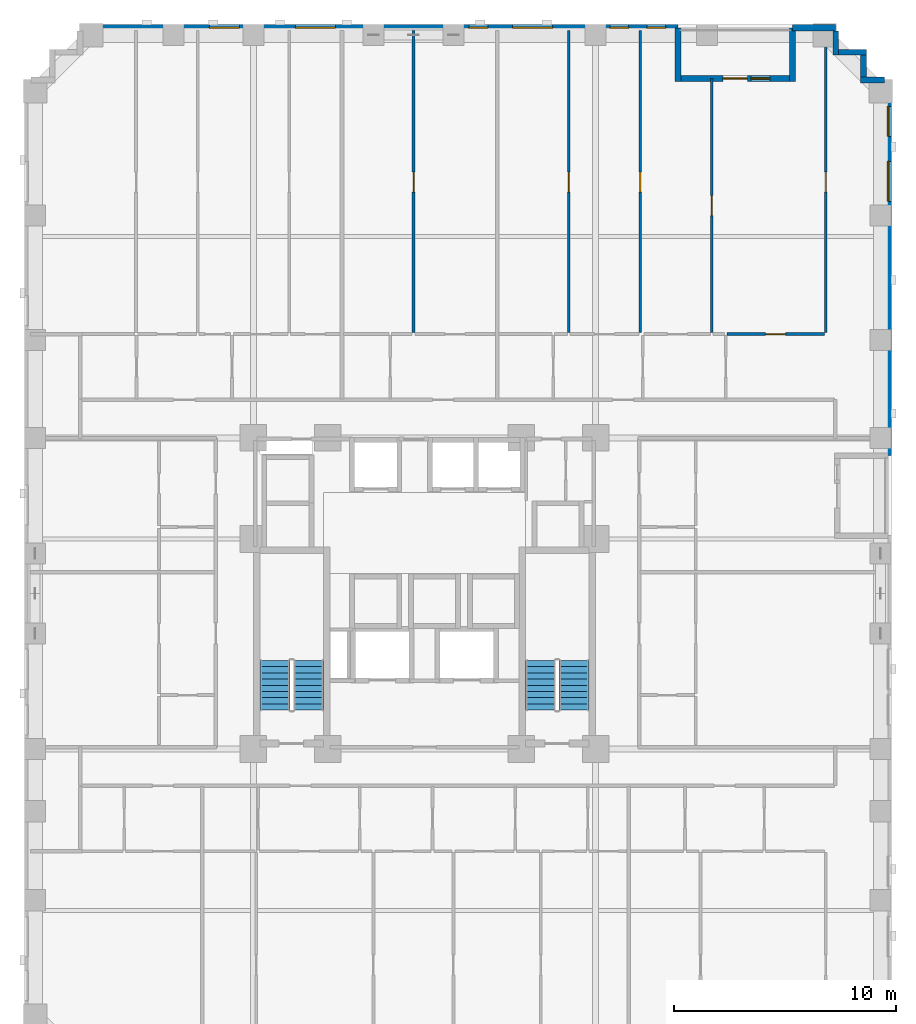
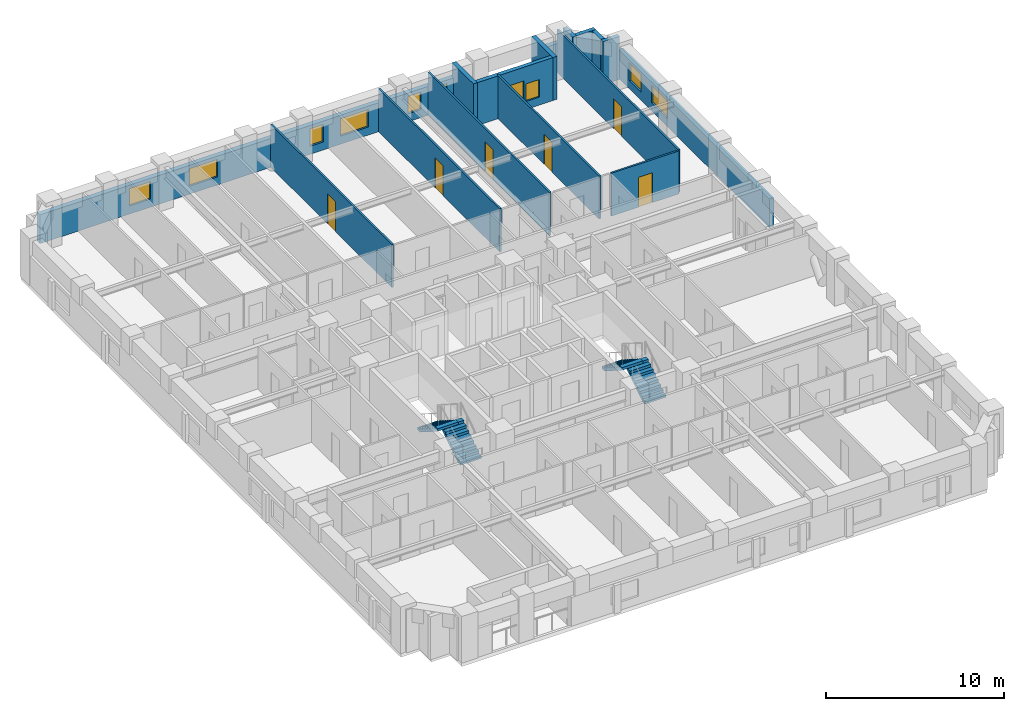
# One storey, part 8 of 13: 16 walls, 9 windows, 7 doors, 4 stair flights, 16 openings, 2 elements without a shape of their own.
"""IFC4 building model written with IfcOpenShell, lengths in metres."""

from ifc_helpers import new_model, si_unit, derived_unit, direction, frame, frame_2d, origin, place, context, subcontext, project, spatial, polyline, rectangle, outline, extrude, material, layer, layer_set, type_object, element, fill, aggregate, save


model = new_model("IFC4")

# Units and contexts
model_context = context("Model", 3, precision=1e-05, world=origin(), true_north=direction((0.0, 1.0)))
body_context = subcontext(model_context, "Body", "Model", "MODEL_VIEW")
ifc_project = project(units=[si_unit("LENGTHUNIT", "METRE"), si_unit("AREAUNIT", "SQUARE_METRE"), si_unit("VOLUMEUNIT", "CUBIC_METRE"), si_unit("PLANEANGLEUNIT", "RADIAN"), si_unit("MASSUNIT", "GRAM", prefix="KILO"), derived_unit("THERMALTRANSMITTANCEUNIT", [(si_unit("MASSUNIT", "GRAM", prefix="KILO"), 1), (si_unit("TIMEUNIT", "SECOND"), -3), (si_unit("THERMODYNAMICTEMPERATUREUNIT", "KELVIN"), -1)])], contexts=[model_context])

# Site, building, storey
site_placement = place(None, origin())
site = spatial("IfcSite", under=ifc_project, at=site_placement, CompositionType="ELEMENT")
building_placement = place(site_placement, origin())
building = spatial("IfcBuilding", under=site, at=building_placement, Name="Korrvale Station Residences", CompositionType="ELEMENT")
storey_placement = place(building_placement, frame((0.0, 0.0, 32.199951171875)))
storey = spatial("IfcBuildingStorey", under=building, at=storey_placement, Name="L07", CompositionType="ELEMENT", Elevation=32.199951171875)

# Wall
ifc_material_1 = material(Name="Precast concrete C45/55", Category="concrete")
ifc_layer_1 = layer(ifc_material_1, 0.260009765625, Name="Precast concrete C45/55")
ifc_layer_set_1 = layer_set([ifc_layer_1], Name="Precast concrete C45/55")
wall_type_1 = type_object("IfcWallType", Name="WAL-EXT-LOG260", PredefinedType="SOLIDWALL", material=ifc_layer_set_1)
wall_1_placement = place(storey_placement, frame((36.89990234375, 47.43994140625, 0.0), z_axis=(0.0, 0.0, 1.0), x_axis=(0.0, -1.0, 0.0)))
element("IfcWall", 1, at=wall_1_placement, inside=storey, type_object=wall_type_1, Name="L07 Recessed Loggia Wall BAL-L07-N1-L", PredefinedType="SOLIDWALL", context=body_context, shape_type="SweptSolid", body=[
    extrude(rectangle(XDim=2.39990234375, YDim=0.260009765625, at=frame_2d((1.199951171875, 0.0))), origin(), (0.0, 0.0, 1.0), 2.93994140625),
])

# Wall, openings, door, window
wall_2_placement = place(storey_placement, frame((37.033935546875, 45.169921875, 0.0), z_axis=(0.0, 0.0, 1.0), x_axis=(1.0, 0.0, 0.0)))
wall_2 = element("IfcWall", 2, at=wall_2_placement, inside=storey, type_object=wall_type_1, Name="L07 Recessed Loggia Wall BAL-L07-N1-B", PredefinedType="SOLIDWALL", context=body_context, shape_type="SweptSolid", body=[
    extrude(rectangle(XDim=4.882080078125, YDim=0.260009765625, at=frame_2d((2.44091796875, 0.0))), origin(), (0.0, 0.0, 1.0), 2.93994140625),
])
opening_1_placement = place(wall_2_placement, frame((1.89111328125, 0.0, 0.0)))
opening_1 = element("IfcOpeningElement", 3, at=opening_1_placement, cuts=wall_2, Name="Opening BD-01", PredefinedType="OPENING", context=body_context, shape_type="SweptSolid", body=[
    extrude(rectangle(XDim=1.10009765625, YDim=2.0, at=frame_2d((0.550048828125, 1.0))), frame((0.0, 0.14013671875, 0.0), z_axis=(0.0, -1.0, 0.0), x_axis=(1.0, 0.0, 0.0)), (0.0, 0.0, 1.0), 0.280029296875),
])
opening_2_placement = place(wall_2_placement, frame((3.15087890625, 0.0, 0.550048828125)))
opening_2 = element("IfcOpeningElement", 4, at=opening_2_placement, cuts=wall_2, Name="Opening W-11", PredefinedType="OPENING", context=body_context, shape_type="SweptSolid", body=[
    extrude(rectangle(XDim=0.85009765625, YDim=1.199951171875, at=frame_2d((0.425048828125, 0.60009765625))), frame((0.0, 0.14013671875, 0.0), z_axis=(0.0, -1.0, 0.0), x_axis=(1.0, 0.0, 0.0)), (0.0, 0.0, 1.0), 0.280029296875),
])
ifc_material_2 = material(Name="Exterior thermally broken aluminium glazed balcony door", Category="aluminium")
door_type_1 = type_object("IfcDoorType", Name="DR-EXT-BAL", OperationType="NOTDEFINED", PredefinedType="DOOR", material=ifc_material_2)
door_1_placement = place(opening_1_placement, origin())
door_1 = element("IfcDoor", 5, at=door_1_placement, inside=storey, type_object=door_type_1, Name="L07 Loggia Balcony Door BAL-L07-N1", OperationType="SINGLE_SWING_RIGHT", OverallHeight=2.0, OverallWidth=1.10009765625, PredefinedType="DOOR", context=body_context, shape_type="SweptSolid", body=[
    extrude(rectangle(XDim=1.10009765625, YDim=2.0, at=frame_2d((0.550048828125, 1.0))), frame((0.0, 0.02490234375, 0.0), z_axis=(0.0, -1.0, 0.0), x_axis=(1.0, 0.0, 0.0)), (0.0, 0.0, 1.0), 0.050048828125),
])
fill(opening_1, door_1)
ifc_material_3 = material(Name="Thermally broken aluminium frame with triple low-e glazing", Category="aluminium")
window_type_1 = type_object("IfcWindowType", Name="WIN-W11", PartitioningType="SINGLE_PANEL", PredefinedType="WINDOW", material=ifc_material_3)
window_1_placement = place(opening_2_placement, origin())
window_1 = element("IfcWindow", 6, at=window_1_placement, inside=storey, type_object=window_type_1, Name="L07 Punched Window 18", OverallHeight=1.199951171875, OverallWidth=0.85009765625, PartitioningType="SINGLE_PANEL", PredefinedType="WINDOW", context=body_context, shape_type="SweptSolid", body=[
    extrude(rectangle(XDim=0.85009765625, YDim=1.199951171875, at=frame_2d((0.425048828125, 0.60009765625))), frame((0.0, 0.030029296875, 0.0), z_axis=(0.0, -1.0, 0.0), x_axis=(1.0, 0.0, 0.0)), (0.0, 0.0, 1.0), 0.06005859375),
])
fill(opening_2, window_1)

# Walls
wall_3_placement = place(storey_placement, frame((42.050048828125, 45.0400390625, 0.0), z_axis=(0.0, 0.0, 1.0), x_axis=(0.0, 1.0, 0.0)))
element("IfcWall", 7, at=wall_3_placement, inside=storey, type_object=wall_type_1, Name="L07 Recessed Loggia Wall BAL-L07-N1-R", PredefinedType="SOLIDWALL", context=body_context, shape_type="SweptSolid", body=[
    extrude(rectangle(XDim=2.39990234375, YDim=0.260009765625, at=frame_2d((1.199951171875, 0.0))), origin(), (0.0, 0.0, 1.0), 2.93994140625),
])
wall_4_placement = place(storey_placement, frame((44.0, 47.298095703125, 0.0), z_axis=(0.0, 0.0, 1.0), x_axis=(0.0, -1.0, 0.0)))
element("IfcWall", 8, at=wall_4_placement, inside=storey, type_object=wall_type_1, Name="L07 Serrated Corner Precast Step NE-1", PredefinedType="SOLIDWALL", context=body_context, shape_type="SweptSolid", body=[
    extrude(rectangle(XDim=1.078125, YDim=0.260009765625, at=frame_2d((0.5390625, 0.0))), origin(), (0.0, 0.0, 1.0), 2.93994140625),
])
wall_5_placement = place(storey_placement, frame((44.132080078125, 46.35009765625, 0.0), z_axis=(0.0, 0.0, 1.0), x_axis=(1.0, 0.0, 0.0)))
element("IfcWall", 9, at=wall_5_placement, inside=storey, type_object=wall_type_1, Name="L07 Serrated Corner Precast Step NE-2", PredefinedType="SOLIDWALL", context=body_context, shape_type="SweptSolid", body=[
    extrude(rectangle(XDim=1.247802734375, YDim=0.260009765625, at=frame_2d((0.6240234375, 0.0))), origin(), (0.0, 0.0, 1.0), 2.93994140625),
])
wall_6_placement = place(storey_placement, frame((45.25, 46.218017578125, 0.0), z_axis=(0.0, 0.0, 1.0), x_axis=(0.0, -1.0, 0.0)))
element("IfcWall", 10, at=wall_6_placement, inside=storey, type_object=wall_type_1, Name="L07 Serrated Corner Precast Step NE-3", PredefinedType="SOLIDWALL", context=body_context, shape_type="SweptSolid", body=[
    extrude(rectangle(XDim=0.986083984375, YDim=0.260009765625, at=frame_2d((0.4931640625, 0.0))), origin(), (0.0, 0.0, 1.0), 2.93994140625),
])
wall_7_placement = place(storey_placement, frame((45.1201171875, 45.10009765625, 0.0), z_axis=(0.0, 0.0, 1.0), x_axis=(1.0, 0.0, 0.0)))
element("IfcWall", 11, at=wall_7_placement, inside=storey, type_object=wall_type_1, Name="L07 Serrated Corner Precast Step NE-4", PredefinedType="SOLIDWALL", context=body_context, shape_type="SweptSolid", body=[
    extrude(rectangle(XDim=1.077880859375, YDim=0.260009765625, at=frame_2d((0.5390625, 0.0))), origin(), (0.0, 0.0, 1.0), 2.93994140625),
])

# Wall, openings, windows
ifc_layer_2 = layer(ifc_material_1, 0.300048828125, Name="Precast concrete C45/55")
ifc_layer_set_2 = layer_set([ifc_layer_2], Name="Precast concrete C45/55")
wall_type_2 = type_object("IfcWallType", Name="WAL-EXT-PC300", PredefinedType="SOLIDWALL", material=ifc_layer_set_2)
wall_8_placement = place(storey_placement, frame((10.0, 47.449951171875, 0.0), z_axis=(0.0, 0.0, 1.0), x_axis=(1.0, 0.0, 0.0)))
wall_8 = element("IfcWall", 12, at=wall_8_placement, inside=storey, type_object=wall_type_2, Name="L07 North Exterior Precast Wall 1", PredefinedType="SOLIDWALL", context=body_context, shape_type="SweptSolid", body=[
    extrude(rectangle(XDim=26.89990234375, YDim=0.300048828125, at=frame_2d((13.449951171875, 0.0))), origin(), (0.0, 0.0, 1.0), 1.97509765625),
])
opening_3_placement = place(wall_8_placement, frame((5.81494140625, 0.0, 0.550048828125)))
opening_3 = element("IfcOpeningElement", 13, at=opening_3_placement, cuts=wall_8, Name="Opening W-10", PredefinedType="OPENING", context=body_context, shape_type="SweptSolid", body=[
    extrude(rectangle(XDim=1.35009765625, YDim=1.199951171875, at=frame_2d((0.675048828125, 0.60009765625))), frame((0.0, 0.16015625, 0.0), z_axis=(0.0, -1.0, 0.0), x_axis=(1.0, 0.0, 0.0)), (0.0, 0.0, 1.0), 0.320068359375),
])
opening_4_placement = place(wall_8_placement, frame((9.694091796875, 0.0, 0.550048828125)))
opening_4 = element("IfcOpeningElement", 14, at=opening_4_placement, cuts=wall_8, Name="Opening W-09", PredefinedType="OPENING", context=body_context, shape_type="SweptSolid", body=[
    extrude(rectangle(XDim=1.800048828125, YDim=1.199951171875, at=frame_2d((0.89990234375, 0.60009765625))), frame((0.0, 0.16015625, 0.0), z_axis=(0.0, -1.0, 0.0), x_axis=(1.0, 0.0, 0.0)), (0.0, 0.0, 1.0), 0.320068359375),
])
opening_5_placement = place(wall_8_placement, frame((17.5, 0.0, 0.550048828125)))
opening_5 = element("IfcOpeningElement", 15, at=opening_5_placement, cuts=wall_8, Name="Opening W-11", PredefinedType="OPENING", context=body_context, shape_type="SweptSolid", body=[
    extrude(rectangle(XDim=0.85009765625, YDim=1.199951171875, at=frame_2d((0.425048828125, 0.60009765625))), frame((0.0, 0.16015625, 0.0), z_axis=(0.0, -1.0, 0.0), x_axis=(1.0, 0.0, 0.0)), (0.0, 0.0, 1.0), 0.320068359375),
])
opening_6_placement = place(wall_8_placement, frame((19.462890625, 0.0, 0.550048828125)))
opening_6 = element("IfcOpeningElement", 16, at=opening_6_placement, cuts=wall_8, Name="Opening W-09", PredefinedType="OPENING", context=body_context, shape_type="SweptSolid", body=[
    extrude(rectangle(XDim=1.800048828125, YDim=1.199951171875, at=frame_2d((0.89990234375, 0.60009765625))), frame((0.0, 0.16015625, 0.0), z_axis=(0.0, -1.0, 0.0), x_axis=(1.0, 0.0, 0.0)), (0.0, 0.0, 1.0), 0.320068359375),
])
opening_7_placement = place(wall_8_placement, frame((23.8349609375, 0.0, 0.550048828125)))
opening_7 = element("IfcOpeningElement", 17, at=opening_7_placement, cuts=wall_8, Name="Opening W-11", PredefinedType="OPENING", context=body_context, shape_type="SweptSolid", body=[
    extrude(rectangle(XDim=0.85009765625, YDim=1.199951171875, at=frame_2d((0.425048828125, 0.60009765625))), frame((0.0, 0.16015625, 0.0), z_axis=(0.0, -1.0, 0.0), x_axis=(1.0, 0.0, 0.0)), (0.0, 0.0, 1.0), 0.320068359375),
])
opening_8_placement = place(wall_8_placement, frame((25.498046875, 0.0, 0.550048828125)))
opening_8 = element("IfcOpeningElement", 18, at=opening_8_placement, cuts=wall_8, Name="Opening W-11", PredefinedType="OPENING", context=body_context, shape_type="SweptSolid", body=[
    extrude(rectangle(XDim=0.85009765625, YDim=1.199951171875, at=frame_2d((0.425048828125, 0.60009765625))), frame((0.0, 0.16015625, 0.0), z_axis=(0.0, -1.0, 0.0), x_axis=(1.0, 0.0, 0.0)), (0.0, 0.0, 1.0), 0.320068359375),
])
window_type_2 = type_object("IfcWindowType", Name="WIN-W09", PartitioningType="DOUBLE_PANEL_VERTICAL", PredefinedType="WINDOW", material=ifc_material_3)
window_2_placement = place(opening_4_placement, origin())
window_2 = element("IfcWindow", 19, at=window_2_placement, inside=storey, type_object=window_type_2, Name="L07 Punched Window 13", OverallHeight=1.199951171875, OverallWidth=1.800048828125, PartitioningType="DOUBLE_PANEL_VERTICAL", PredefinedType="WINDOW", context=body_context, shape_type="SweptSolid", body=[
    extrude(rectangle(XDim=1.800048828125, YDim=1.199951171875, at=frame_2d((0.89990234375, 0.60009765625))), frame((0.0, 0.030029296875, 0.0), z_axis=(0.0, -1.0, 0.0), x_axis=(1.0, 0.0, 0.0)), (0.0, 0.0, 1.0), 0.06005859375),
])
fill(opening_4, window_2)
window_3_placement = place(opening_6_placement, origin())
window_3 = element("IfcWindow", 20, at=window_3_placement, inside=storey, type_object=window_type_2, Name="L07 Punched Window 15", OverallHeight=1.199951171875, OverallWidth=1.800048828125, PartitioningType="DOUBLE_PANEL_VERTICAL", PredefinedType="WINDOW", context=body_context, shape_type="SweptSolid", body=[
    extrude(rectangle(XDim=1.800048828125, YDim=1.199951171875, at=frame_2d((0.89990234375, 0.60009765625))), frame((0.0, 0.030029296875, 0.0), z_axis=(0.0, -1.0, 0.0), x_axis=(1.0, 0.0, 0.0)), (0.0, 0.0, 1.0), 0.06005859375),
])
fill(opening_6, window_3)
window_type_3 = type_object("IfcWindowType", Name="WIN-W10", PartitioningType="SINGLE_PANEL", PredefinedType="WINDOW", material=ifc_material_3)
window_4_placement = place(opening_3_placement, origin())
window_4 = element("IfcWindow", 21, at=window_4_placement, inside=storey, type_object=window_type_3, Name="L07 Punched Window 12", OverallHeight=1.199951171875, OverallWidth=1.35009765625, PartitioningType="SINGLE_PANEL", PredefinedType="WINDOW", context=body_context, shape_type="SweptSolid", body=[
    extrude(rectangle(XDim=1.35009765625, YDim=1.199951171875, at=frame_2d((0.675048828125, 0.60009765625))), frame((0.0, 0.030029296875, 0.0), z_axis=(0.0, -1.0, 0.0), x_axis=(1.0, 0.0, 0.0)), (0.0, 0.0, 1.0), 0.06005859375),
])
fill(opening_3, window_4)
window_5_placement = place(opening_5_placement, origin())
window_5 = element("IfcWindow", 22, at=window_5_placement, inside=storey, type_object=window_type_1, Name="L07 Punched Window 14", OverallHeight=1.199951171875, OverallWidth=0.85009765625, PartitioningType="SINGLE_PANEL", PredefinedType="WINDOW", context=body_context, shape_type="SweptSolid", body=[
    extrude(rectangle(XDim=0.85009765625, YDim=1.199951171875, at=frame_2d((0.425048828125, 0.60009765625))), frame((0.0, 0.030029296875, 0.0), z_axis=(0.0, -1.0, 0.0), x_axis=(1.0, 0.0, 0.0)), (0.0, 0.0, 1.0), 0.06005859375),
])
fill(opening_5, window_5)
window_6_placement = place(opening_7_placement, origin())
window_6 = element("IfcWindow", 23, at=window_6_placement, inside=storey, type_object=window_type_1, Name="L07 Punched Window 16", OverallHeight=1.199951171875, OverallWidth=0.85009765625, PartitioningType="SINGLE_PANEL", PredefinedType="WINDOW", context=body_context, shape_type="SweptSolid", body=[
    extrude(rectangle(XDim=0.85009765625, YDim=1.199951171875, at=frame_2d((0.425048828125, 0.60009765625))), frame((0.0, 0.030029296875, 0.0), z_axis=(0.0, -1.0, 0.0), x_axis=(1.0, 0.0, 0.0)), (0.0, 0.0, 1.0), 0.06005859375),
])
fill(opening_7, window_6)
window_7_placement = place(opening_8_placement, origin())
window_7 = element("IfcWindow", 24, at=window_7_placement, inside=storey, type_object=window_type_1, Name="L07 Punched Window 17", OverallHeight=1.199951171875, OverallWidth=0.85009765625, PartitioningType="SINGLE_PANEL", PredefinedType="WINDOW", context=body_context, shape_type="SweptSolid", body=[
    extrude(rectangle(XDim=0.85009765625, YDim=1.199951171875, at=frame_2d((0.425048828125, 0.60009765625))), frame((0.0, 0.030029296875, 0.0), z_axis=(0.0, -1.0, 0.0), x_axis=(1.0, 0.0, 0.0)), (0.0, 0.0, 1.0), 0.06005859375),
])
fill(opening_8, window_7)

# Wall
wall_9_placement = place(storey_placement, frame((42.050048828125, 47.449951171875, 0.0), z_axis=(0.0, 0.0, 1.0), x_axis=(1.0, 0.0, 0.0)))
element("IfcWall", 25, at=wall_9_placement, inside=storey, type_object=wall_type_2, Name="L07 North Exterior Precast Wall 2", PredefinedType="SOLIDWALL", context=body_context, shape_type="SweptSolid", body=[
    extrude(rectangle(XDim=1.949951171875, YDim=0.300048828125, at=frame_2d((0.97509765625, 0.0))), origin(), (0.0, 0.0, 1.0), 1.97509765625),
])

# Wall, openings, windows
wall_10_placement = place(storey_placement, frame((46.35009765625, 45.10009765625, 0.0), z_axis=(0.0, 0.0, 1.0), x_axis=(0.0, -1.0, 0.0)))
wall_10 = element("IfcWall", 26, at=wall_10_placement, inside=storey, type_object=wall_type_2, Name="L07 East Exterior Precast Wall 1", PredefinedType="SOLIDWALL", context=body_context, shape_type="SweptSolid", body=[
    extrude(rectangle(XDim=16.900146484375, YDim=0.300048828125, at=frame_2d((8.4501953125, 0.0))), origin(), (0.0, 0.0, 1.0), 1.97509765625),
])
opening_9_placement = place(wall_10_placement, frame((3.6650390625, 0.0, 0.550048828125)))
opening_9 = element("IfcOpeningElement", 27, at=opening_9_placement, cuts=wall_10, Name="Opening W-09", PredefinedType="OPENING", context=body_context, shape_type="SweptSolid", body=[
    extrude(rectangle(XDim=1.800048828125, YDim=1.199951171875, at=frame_2d((0.89990234375, 0.60009765625))), frame((0.0, 0.16015625, 0.0), z_axis=(0.0, -1.0, 0.0), x_axis=(1.0, 0.0, 0.0)), (0.0, 0.0, 1.0), 0.320068359375),
])
opening_10_placement = place(wall_10_placement, frame((1.18505859375, 0.0, 0.550048828125)))
opening_10 = element("IfcOpeningElement", 28, at=opening_10_placement, cuts=wall_10, Name="Opening W-10", PredefinedType="OPENING", context=body_context, shape_type="SweptSolid", body=[
    extrude(rectangle(XDim=1.35009765625, YDim=1.199951171875, at=frame_2d((0.675048828125, 0.60009765625))), frame((0.0, 0.16015625, 0.0), z_axis=(0.0, -1.0, 0.0), x_axis=(1.0, 0.0, 0.0)), (0.0, 0.0, 1.0), 0.320068359375),
])
window_8_placement = place(opening_9_placement, origin())
window_8 = element("IfcWindow", 29, at=window_8_placement, inside=storey, type_object=window_type_2, Name="L07 Punched Window 19", OverallHeight=1.199951171875, OverallWidth=1.800048828125, PartitioningType="DOUBLE_PANEL_VERTICAL", PredefinedType="WINDOW", context=body_context, shape_type="SweptSolid", body=[
    extrude(rectangle(XDim=1.800048828125, YDim=1.199951171875, at=frame_2d((0.89990234375, 0.60009765625))), frame((0.0, 0.030029296875, 0.0), z_axis=(0.0, -1.0, 0.0), x_axis=(1.0, 0.0, 0.0)), (0.0, 0.0, 1.0), 0.06005859375),
])
fill(opening_9, window_8)
window_9_placement = place(opening_10_placement, origin())
window_9 = element("IfcWindow", 30, at=window_9_placement, inside=storey, type_object=window_type_3, Name="L07 Punched Window 20", OverallHeight=1.199951171875, OverallWidth=1.35009765625, PartitioningType="SINGLE_PANEL", PredefinedType="WINDOW", context=body_context, shape_type="SweptSolid", body=[
    extrude(rectangle(XDim=1.35009765625, YDim=1.199951171875, at=frame_2d((0.675048828125, 0.60009765625))), frame((0.0, 0.030029296875, 0.0), z_axis=(0.0, -1.0, 0.0), x_axis=(1.0, 0.0, 0.0)), (0.0, 0.0, 1.0), 0.06005859375),
])
fill(opening_10, window_9)

# Wall, opening, door
ifc_material_4 = material(Name="Acoustic steel-stud gypsum board partition", Category="steel")
ifc_layer_3 = layer(ifc_material_4, 0.1201171875, Name="Acoustic steel-stud gypsum board partition")
ifc_layer_set_3 = layer_set([ifc_layer_3], Name="Acoustic steel-stud gypsum board partition")
wall_type_3 = type_object("IfcWallType", Name="WAL-PART-125", PredefinedType="PARTITIONING", material=ifc_layer_set_3)
wall_11_placement = place(storey_placement, frame((25.006103515625, 33.72998046875, 0.0), z_axis=(0.0, 0.0, 1.0), x_axis=(0.0, 1.0, 0.0)))
wall_11 = element("IfcWall", 31, at=wall_11_placement, inside=storey, type_object=wall_type_3, Name="L07 Suite Partition U05-V23", PredefinedType="PARTITIONING", context=body_context, shape_type="SweptSolid", body=[
    extrude(rectangle(XDim=13.590087890625, YDim=0.1201171875, at=frame_2d((6.794921875, 0.0))), origin(), (0.0, 0.0, 1.0), 2.93994140625),
])
opening_11_placement = place(wall_11_placement, frame((6.330078125, 0.0, 0.0)))
opening_11 = element("IfcOpeningElement", 32, at=opening_11_placement, cuts=wall_11, Name="Opening DI-900", PredefinedType="OPENING", context=body_context, shape_type="SweptSolid", body=[
    extrude(rectangle(XDim=0.89990234375, YDim=2.050048828125, at=frame_2d((0.449951171875, 1.02490234375))), frame((0.0, 0.070068359375, 0.0), z_axis=(0.0, -1.0, 0.0), x_axis=(1.0, 0.0, 0.0)), (0.0, 0.0, 1.0), 0.14013671875),
])
ifc_material_5 = material(Name="Painted solid-core timber interior room door", Category="wood")
door_type_2 = type_object("IfcDoorType", Name="DR-INT-900", OperationType="NOTDEFINED", PredefinedType="DOOR", material=ifc_material_5)
door_2_placement = place(opening_11_placement, origin())
door_2 = element("IfcDoor", 33, at=door_2_placement, inside=storey, type_object=door_type_2, Name="L07 Studio Apartment L07-U05 Walk-In Wardrobe Door", OperationType="SINGLE_SWING_LEFT", OverallHeight=2.050048828125, OverallWidth=0.89990234375, PredefinedType="DOOR", context=body_context, shape_type="SweptSolid", body=[
    extrude(rectangle(XDim=0.89990234375, YDim=2.050048828125, at=frame_2d((0.449951171875, 1.02490234375))), frame((0.0, 0.02490234375, 0.0), z_axis=(0.0, -1.0, 0.0), x_axis=(1.0, 0.0, 0.0)), (0.0, 0.0, 1.0), 0.050048828125),
])
fill(opening_11, door_2)

wall_12_placement = place(storey_placement, frame((39.10400390625, 33.669921875, 0.0), z_axis=(0.0, 0.0, 1.0), x_axis=(1.0, 0.0, 0.0)))
wall_12 = element("IfcWall", 34, at=wall_12_placement, inside=storey, type_object=wall_type_3, Name="L07 Suite Partition U06-H37", PredefinedType="PARTITIONING", context=body_context, shape_type="SweptSolid", body=[
    extrude(rectangle(XDim=4.385986328125, YDim=0.1201171875, at=frame_2d((2.19287109375, 0.0))), origin(), (0.0, 0.0, 1.0), 2.93994140625),
])
opening_12_placement = place(wall_12_placement, frame((1.742919921875, 0.0, 0.0)))
opening_12 = element("IfcOpeningElement", 35, at=opening_12_placement, cuts=wall_12, Name="Opening DI-900", PredefinedType="OPENING", context=body_context, shape_type="SweptSolid", body=[
    extrude(rectangle(XDim=0.89990234375, YDim=2.050048828125, at=frame_2d((0.449951171875, 1.02490234375))), frame((0.0, 0.070068359375, 0.0), z_axis=(0.0, -1.0, 0.0), x_axis=(1.0, 0.0, 0.0)), (0.0, 0.0, 1.0), 0.14013671875),
])
door_3_placement = place(opening_12_placement, origin())
door_3 = element("IfcDoor", 36, at=door_3_placement, inside=storey, type_object=door_type_2, Name="L07 Studio Apartment L07-U06 Storage Closet 2 Door", OperationType="SINGLE_SWING_LEFT", OverallHeight=2.050048828125, OverallWidth=0.89990234375, PredefinedType="DOOR", context=body_context, shape_type="SweptSolid", body=[
    extrude(rectangle(XDim=0.89990234375, YDim=2.050048828125, at=frame_2d((0.449951171875, 1.02490234375))), frame((0.0, 0.02490234375, 0.0), z_axis=(0.0, -1.0, 0.0), x_axis=(1.0, 0.0, 0.0)), (0.0, 0.0, 1.0), 0.050048828125),
])
fill(opening_12, door_3)

wall_13_placement = place(storey_placement, frame((31.98388671875, 33.72998046875, 0.0), z_axis=(0.0, 0.0, 1.0), x_axis=(0.0, 1.0, 0.0)))
wall_13 = element("IfcWall", 37, at=wall_13_placement, inside=storey, type_object=wall_type_3, Name="L07 Suite Partition U06-V45", PredefinedType="PARTITIONING", context=body_context, shape_type="SweptSolid", body=[
    extrude(rectangle(XDim=13.590087890625, YDim=0.1201171875, at=frame_2d((6.794921875, 0.0))), origin(), (0.0, 0.0, 1.0), 2.93994140625),
])
opening_13_placement = place(wall_13_placement, frame((6.330078125, 0.0, 0.0)))
opening_13 = element("IfcOpeningElement", 38, at=opening_13_placement, cuts=wall_13, Name="Opening DI-900", PredefinedType="OPENING", context=body_context, shape_type="SweptSolid", body=[
    extrude(rectangle(XDim=0.89990234375, YDim=2.050048828125, at=frame_2d((0.449951171875, 1.02490234375))), frame((0.0, 0.070068359375, 0.0), z_axis=(0.0, -1.0, 0.0), x_axis=(1.0, 0.0, 0.0)), (0.0, 0.0, 1.0), 0.14013671875),
])
door_4_placement = place(opening_13_placement, origin())
door_4 = element("IfcDoor", 39, at=door_4_placement, inside=storey, type_object=door_type_2, Name="L07 Studio Apartment L07-U06 Walk-In Wardrobe Door", OperationType="SINGLE_SWING_RIGHT", OverallHeight=2.050048828125, OverallWidth=0.89990234375, PredefinedType="DOOR", context=body_context, shape_type="SweptSolid", body=[
    extrude(rectangle(XDim=0.89990234375, YDim=2.050048828125, at=frame_2d((0.449951171875, 1.02490234375))), frame((0.0, 0.02490234375, 0.0), z_axis=(0.0, -1.0, 0.0), x_axis=(1.0, 0.0, 0.0)), (0.0, 0.0, 1.0), 0.050048828125),
])
fill(opening_13, door_4)

wall_14_placement = place(storey_placement, frame((35.2041015625, 33.72998046875, 0.0), z_axis=(0.0, 0.0, 1.0), x_axis=(0.0, 1.0, 0.0)))
wall_14 = element("IfcWall", 40, at=wall_14_placement, inside=storey, type_object=wall_type_3, Name="L07 Suite Partition U06-V56", PredefinedType="PARTITIONING", context=body_context, shape_type="SweptSolid", body=[
    extrude(rectangle(XDim=13.590087890625, YDim=0.1201171875, at=frame_2d((6.794921875, 0.0))), origin(), (0.0, 0.0, 1.0), 2.93994140625),
])
opening_14_placement = place(wall_14_placement, frame((6.330078125, 0.0, 0.0)))
opening_14 = element("IfcOpeningElement", 41, at=opening_14_placement, cuts=wall_14, Name="Opening DI-900", PredefinedType="OPENING", context=body_context, shape_type="SweptSolid", body=[
    extrude(rectangle(XDim=0.89990234375, YDim=2.050048828125, at=frame_2d((0.449951171875, 1.02490234375))), frame((0.0, 0.070068359375, 0.0), z_axis=(0.0, -1.0, 0.0), x_axis=(1.0, 0.0, 0.0)), (0.0, 0.0, 1.0), 0.14013671875),
])
door_5_placement = place(opening_14_placement, origin())
door_5 = element("IfcDoor", 42, at=door_5_placement, inside=storey, type_object=door_type_2, Name="L07 Studio Apartment L07-U06 Walk-In Wardrobe Door", OperationType="SINGLE_SWING_LEFT", OverallHeight=2.050048828125, OverallWidth=0.89990234375, PredefinedType="DOOR", context=body_context, shape_type="SweptSolid", body=[
    extrude(rectangle(XDim=0.89990234375, YDim=2.050048828125, at=frame_2d((0.449951171875, 1.02490234375))), frame((0.0, 0.02490234375, 0.0), z_axis=(0.0, -1.0, 0.0), x_axis=(1.0, 0.0, 0.0)), (0.0, 0.0, 1.0), 0.050048828125),
])
fill(opening_14, door_5)

wall_15_placement = place(storey_placement, frame((38.424072265625, 33.72998046875, 0.0), z_axis=(0.0, 0.0, 1.0), x_axis=(0.0, 1.0, 0.0)))
wall_15 = element("IfcWall", 43, at=wall_15_placement, inside=storey, type_object=wall_type_3, Name="L07 Suite Partition U06-V67", PredefinedType="PARTITIONING", context=body_context, shape_type="SweptSolid", body=[
    extrude(rectangle(XDim=11.43994140625, YDim=0.1201171875, at=frame_2d((5.719970703125, 0.0))), origin(), (0.0, 0.0, 1.0), 2.93994140625),
])
opening_15_placement = place(wall_15_placement, frame((5.27001953125, 0.0, 0.0)))
opening_15 = element("IfcOpeningElement", 44, at=opening_15_placement, cuts=wall_15, Name="Opening DI-900", PredefinedType="OPENING", context=body_context, shape_type="SweptSolid", body=[
    extrude(rectangle(XDim=0.89990234375, YDim=2.050048828125, at=frame_2d((0.449951171875, 1.02490234375))), frame((0.0, 0.070068359375, 0.0), z_axis=(0.0, -1.0, 0.0), x_axis=(1.0, 0.0, 0.0)), (0.0, 0.0, 1.0), 0.14013671875),
])
door_6_placement = place(opening_15_placement, origin())
door_6 = element("IfcDoor", 45, at=door_6_placement, inside=storey, type_object=door_type_2, Name="L07 Studio Apartment L07-U06 Walk-In Wardrobe Door", OperationType="SINGLE_SWING_RIGHT", OverallHeight=2.050048828125, OverallWidth=0.89990234375, PredefinedType="DOOR", context=body_context, shape_type="SweptSolid", body=[
    extrude(rectangle(XDim=0.89990234375, YDim=2.050048828125, at=frame_2d((0.449951171875, 1.02490234375))), frame((0.0, 0.02490234375, 0.0), z_axis=(0.0, -1.0, 0.0), x_axis=(1.0, 0.0, 0.0)), (0.0, 0.0, 1.0), 0.050048828125),
])
fill(opening_15, door_6)

wall_16_placement = place(storey_placement, frame((43.550048828125, 33.72998046875, 0.0), z_axis=(0.0, 0.0, 1.0), x_axis=(0.0, 1.0, 0.0)))
wall_16 = element("IfcWall", 46, at=wall_16_placement, inside=storey, type_object=wall_type_3, Name="L07 Suite Partition U06-V78", PredefinedType="PARTITIONING", context=body_context, shape_type="SweptSolid", body=[
    extrude(rectangle(XDim=13.590087890625, YDim=0.1201171875, at=frame_2d((6.794921875, 0.0))), origin(), (0.0, 0.0, 1.0), 2.93994140625),
])
opening_16_placement = place(wall_16_placement, frame((6.330078125, 0.0, 0.0)))
opening_16 = element("IfcOpeningElement", 47, at=opening_16_placement, cuts=wall_16, Name="Opening DI-900", PredefinedType="OPENING", context=body_context, shape_type="SweptSolid", body=[
    extrude(rectangle(XDim=0.89990234375, YDim=2.050048828125, at=frame_2d((0.449951171875, 1.02490234375))), frame((0.0, 0.070068359375, 0.0), z_axis=(0.0, -1.0, 0.0), x_axis=(1.0, 0.0, 0.0)), (0.0, 0.0, 1.0), 0.14013671875),
])
door_7_placement = place(opening_16_placement, origin())
door_7 = element("IfcDoor", 48, at=door_7_placement, inside=storey, type_object=door_type_2, Name="L07 Studio Apartment L07-U06 Studio Living Room Door", OperationType="SINGLE_SWING_LEFT", OverallHeight=2.050048828125, OverallWidth=0.89990234375, PredefinedType="DOOR", context=body_context, shape_type="SweptSolid", body=[
    extrude(rectangle(XDim=0.89990234375, YDim=2.050048828125, at=frame_2d((0.449951171875, 1.02490234375))), frame((0.0, 0.02490234375, 0.0), z_axis=(0.0, -1.0, 0.0), x_axis=(1.0, 0.0, 0.0)), (0.0, 0.0, 1.0), 0.050048828125),
])
fill(opening_16, door_7)

# Stair, stair flights
ifc_material_6 = material(Name="Concrete C50/60", Category="concrete")
stair_type = type_object("IfcStairType", Name="STR-DL-1350-18R-1778", PredefinedType="HALF_TURN_STAIR", material=ifc_material_6)
stair_1_placement = place(storey_placement, origin())
stair_1 = element("IfcStair", 49, at=stair_1_placement, inside=storey, type_object=stair_type, Name="L07 Exit Stair 1", PredefinedType="HALF_TURN_STAIR")
stair_flight_type = type_object("IfcStairFlightType", Name="FLT-DL-1350-18R-1778", PredefinedType="STRAIGHT", material=ifc_material_6)
stair_flight_1_placement = place(storey_placement, frame((20.27490234375, 16.75, 0.0), z_axis=(0.0, 0.0, 1.0), x_axis=(0.0, 1.0, 0.0)))
stair_flight_1 = element("IfcStairFlight", 50, at=stair_flight_1_placement, type_object=stair_flight_type, Name="ST-1 flight 1", NumberOfRisers=9, NumberOfTreads=8, PredefinedType="STRAIGHT", RiserHeight=0.177777778, TreadLength=0.28, context=body_context, shape_type="SweptSolid", body=[
    extrude(outline(polyline([(0.0, 0.0), (0.0, 0.177734375), (0.280029296875, 0.177734375), (0.280029296875, 0.35546875), (0.56005859375, 0.35546875), (0.56005859375, 0.533447265625), (0.840087890625, 0.533447265625), (0.840087890625, 0.711181640625), (1.1201171875, 0.711181640625), (1.1201171875, 0.888916015625), (1.39990234375, 0.888916015625), (1.39990234375, 1.066650390625), (1.679931640625, 1.066650390625), (1.679931640625, 1.244384765625), (1.9599609375, 1.244384765625), (1.9599609375, 1.422119140625), (2.239990234375, 1.422119140625), (2.239990234375, 1.60009765625), (2.239990234375, 1.24462890625), (0.27978515625, 0.0), (0.0, 0.0)])), frame((0.0, 0.675048828125, 0.0), z_axis=(0.0, -1.0, 0.0), x_axis=(1.0, 0.0, 0.0)), (0.0, 0.0, 1.0), 1.35009765625),
])
stair_flight_2_placement = place(storey_placement, frame((18.77490234375, 18.989990234375, 1.60009765625), z_axis=(0.0, 0.0, 1.0), x_axis=(0.0, -1.0, 0.0)))
stair_flight_2 = element("IfcStairFlight", 51, at=stair_flight_2_placement, type_object=stair_flight_type, Name="ST-1 flight 2", NumberOfRisers=9, NumberOfTreads=8, PredefinedType="STRAIGHT", RiserHeight=0.177777778, TreadLength=0.28, context=body_context, shape_type="SweptSolid", body=[
    extrude(outline(polyline([(0.0, 0.0), (0.0, 0.177734375), (0.280029296875, 0.177734375), (0.280029296875, 0.35546875), (0.56005859375, 0.35546875), (0.56005859375, 0.533447265625), (0.840087890625, 0.533447265625), (0.840087890625, 0.711181640625), (1.1201171875, 0.711181640625), (1.1201171875, 0.888916015625), (1.39990234375, 0.888916015625), (1.39990234375, 1.066650390625), (1.679931640625, 1.066650390625), (1.679931640625, 1.244384765625), (1.9599609375, 1.244384765625), (1.9599609375, 1.422119140625), (2.239990234375, 1.422119140625), (2.239990234375, 1.60009765625), (2.239990234375, 1.24462890625), (0.27978515625, 0.0), (0.0, 0.0)])), frame((0.0, 0.675048828125, 0.0), z_axis=(0.0, -1.0, 0.0), x_axis=(1.0, 0.0, 0.0)), (0.0, 0.0, 1.0), 1.35009765625),
])
aggregate(stair_1, [stair_flight_1, stair_flight_2])

stair_2_placement = place(storey_placement, origin())
stair_2 = element("IfcStair", 52, at=stair_2_placement, inside=storey, type_object=stair_type, Name="L07 Exit Stair 2", PredefinedType="HALF_TURN_STAIR")
stair_flight_3_placement = place(storey_placement, frame((32.22509765625, 16.75, 0.0), z_axis=(0.0, 0.0, 1.0), x_axis=(0.0, 1.0, 0.0)))
stair_flight_3 = element("IfcStairFlight", 53, at=stair_flight_3_placement, type_object=stair_flight_type, Name="ST-2 flight 1", NumberOfRisers=9, NumberOfTreads=8, PredefinedType="STRAIGHT", RiserHeight=0.177777778, TreadLength=0.28, context=body_context, shape_type="SweptSolid", body=[
    extrude(outline(polyline([(0.0, 0.0), (0.0, 0.177734375), (0.280029296875, 0.177734375), (0.280029296875, 0.35546875), (0.56005859375, 0.35546875), (0.56005859375, 0.533447265625), (0.840087890625, 0.533447265625), (0.840087890625, 0.711181640625), (1.1201171875, 0.711181640625), (1.1201171875, 0.888916015625), (1.39990234375, 0.888916015625), (1.39990234375, 1.066650390625), (1.679931640625, 1.066650390625), (1.679931640625, 1.244384765625), (1.9599609375, 1.244384765625), (1.9599609375, 1.422119140625), (2.239990234375, 1.422119140625), (2.239990234375, 1.60009765625), (2.239990234375, 1.24462890625), (0.27978515625, 0.0), (0.0, 0.0)])), frame((0.0, 0.675048828125, 0.0), z_axis=(0.0, -1.0, 0.0), x_axis=(1.0, 0.0, 0.0)), (0.0, 0.0, 1.0), 1.35009765625),
])
stair_flight_4_placement = place(storey_placement, frame((30.72509765625, 18.989990234375, 1.60009765625), z_axis=(0.0, 0.0, 1.0), x_axis=(0.0, -1.0, 0.0)))
stair_flight_4 = element("IfcStairFlight", 54, at=stair_flight_4_placement, type_object=stair_flight_type, Name="ST-2 flight 2", NumberOfRisers=9, NumberOfTreads=8, PredefinedType="STRAIGHT", RiserHeight=0.177777778, TreadLength=0.28, context=body_context, shape_type="SweptSolid", body=[
    extrude(outline(polyline([(0.0, 0.0), (0.0, 0.177734375), (0.280029296875, 0.177734375), (0.280029296875, 0.35546875), (0.56005859375, 0.35546875), (0.56005859375, 0.533447265625), (0.840087890625, 0.533447265625), (0.840087890625, 0.711181640625), (1.1201171875, 0.711181640625), (1.1201171875, 0.888916015625), (1.39990234375, 0.888916015625), (1.39990234375, 1.066650390625), (1.679931640625, 1.066650390625), (1.679931640625, 1.244384765625), (1.9599609375, 1.244384765625), (1.9599609375, 1.422119140625), (2.239990234375, 1.422119140625), (2.239990234375, 1.60009765625), (2.239990234375, 1.24462890625), (0.27978515625, 0.0), (0.0, 0.0)])), frame((0.0, 0.675048828125, 0.0), z_axis=(0.0, -1.0, 0.0), x_axis=(1.0, 0.0, 0.0)), (0.0, 0.0, 1.0), 1.35009765625),
])
aggregate(stair_2, [stair_flight_3, stair_flight_4])

save(model, "model.ifc")
